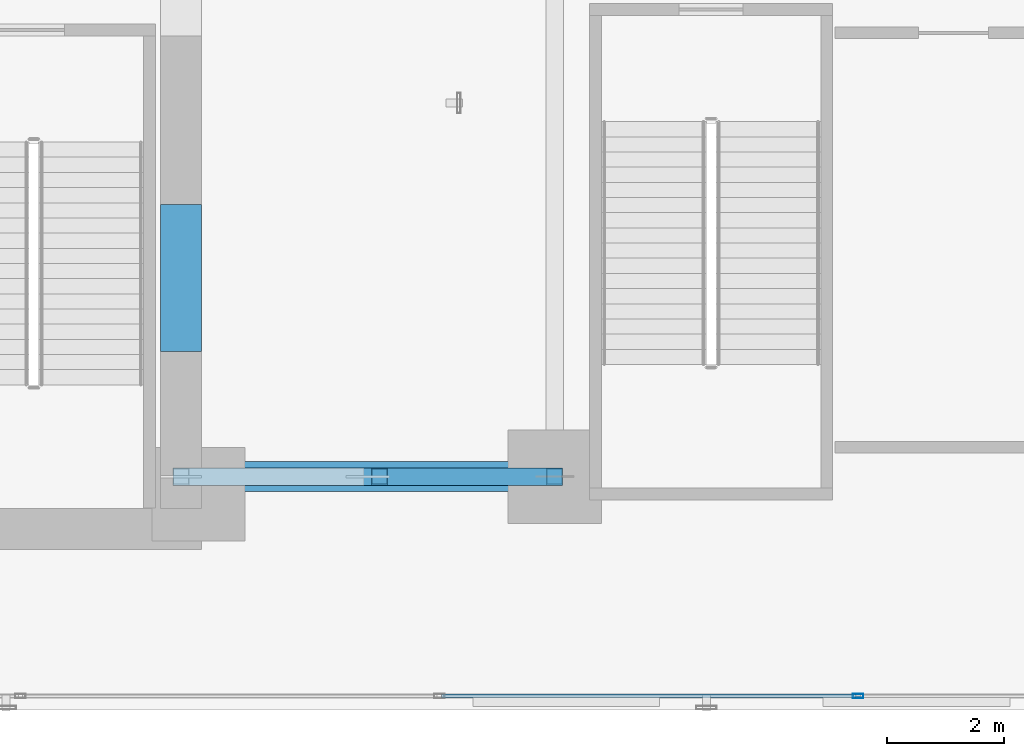
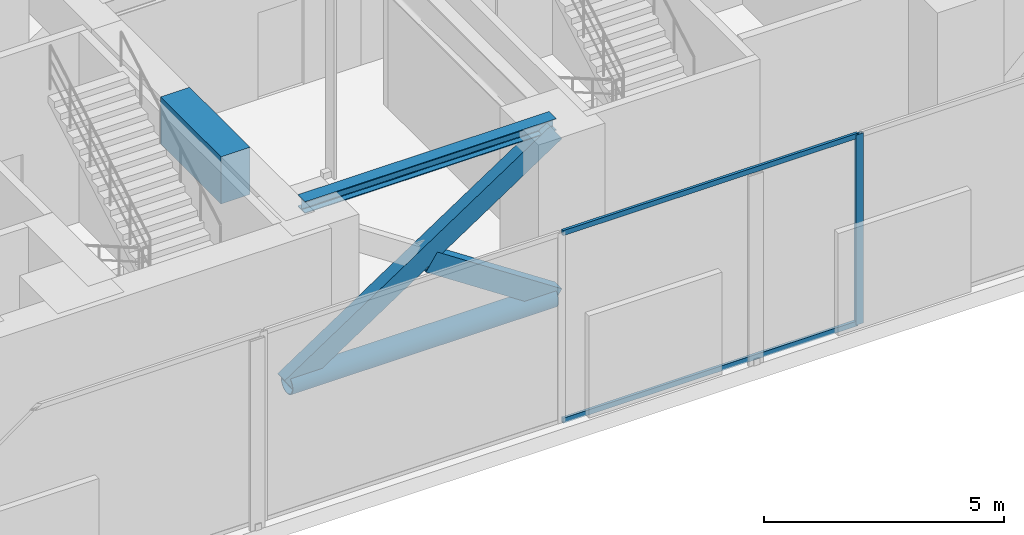
# One storey, part 6 of 36: 6 members, 2 beams, 1 element without a shape of its own.
"""IFC4 building model written with IfcOpenShell, lengths in metres."""

from ifc_helpers import new_model, si_unit, direction, frame, origin, origin_with_axes, origin_2d, place, context, subcontext, project, spatial, rectangle, hollow_rectangle, hollow_circle, i_section, extrude, source, transform, mapped, material, layer, layer_set, material_profile, profile_set, type_object, element, aggregate, save


model = new_model("IFC4")

# Units and contexts
model_context = context("Model", 3, precision=1e-05, world=origin(), true_north=direction((0.0, 1.0)))
body_context = subcontext(model_context, "Body", "Model", "MODEL_VIEW")
ifc_project = project(units=[si_unit("LENGTHUNIT", "METRE"), si_unit("AREAUNIT", "SQUARE_METRE"), si_unit("VOLUMEUNIT", "CUBIC_METRE"), si_unit("PLANEANGLEUNIT", "RADIAN"), si_unit("MASSUNIT", "GRAM", prefix="KILO")], contexts=[model_context])

# Site, building, storey
site_placement = place(None, origin())
site = spatial("IfcSite", under=ifc_project, at=site_placement, CompositionType="ELEMENT")
building_placement = place(site_placement, origin())
building = spatial("IfcBuilding", under=site, at=building_placement, Name="Kolvaren Waterfront Exchange", CompositionType="ELEMENT")
storey_placement = place(building_placement, frame((0.0, 0.0, 82.800048828125)))
storey = spatial("IfcBuildingStorey", under=building, at=storey_placement, Name="L21", CompositionType="ELEMENT", Elevation=82.800048828125)

# Beam
ifc_material_1 = material(Name="Steel S355", Category="steel")
ifc_material_profile_1 = material_profile(ifc_material_1, i_section(OverallWidth=0.300048828125, OverallDepth=0.300048828125, WebThickness=0.010986328125, FlangeThickness=0.01904296875, FilletRadius=0.027099609375, at=origin_2d()), Name="HEB300")
ifc_profile_set_1 = profile_set([ifc_material_profile_1], Name="Steel S355")
beam_type_1 = type_object("IfcBeamType", Name="STR-BM-HEB300", PredefinedType="SPANDREL", material=ifc_profile_set_1)
beam_1_placement = place(storey_placement, frame((21.14990234375, 5.199951171875, 4.68994140625), z_axis=(1.0, 0.0, 0.0), x_axis=(0.0, 1.0, 0.0)))
element("IfcBeam", 1, at=beam_1_placement, inside=storey, type_object=beam_type_1, Name="L21 east-arm spandrel S1", PredefinedType="SPANDREL", context=body_context, shape_type="SweptSolid", body=[
    extrude(i_section(OverallWidth=0.300048828125, OverallDepth=0.300048828125, WebThickness=0.010986328125, FlangeThickness=0.01904296875, FilletRadius=0.027099609375, at=origin_2d()), origin(), (0.0, 0.0, 1.0), 6.050048828125),
])

# Members
ifc_material_2 = material(Name="Steel S460", Category="steel")
ifc_material_profile_2 = material_profile(ifc_material_2, hollow_circle(Radius=0.25390625, WallThickness=0.02001953125, at=origin_2d()), Name="CHS508x20")
ifc_profile_set_2 = profile_set([ifc_material_profile_2], Name="Steel S460")
member_type_1 = type_object("IfcMemberType", Name="STR-BR-CHS508", PredefinedType="CHORD", material=ifc_profile_set_2)
member_1_placement = place(storey_placement, frame((20.800048828125, 5.199951171875, 0.25), z_axis=(1.0, 0.0, 0.0), x_axis=(0.0, 1.0, 0.0)))
element("IfcMember", 2, at=member_1_placement, inside=storey, type_object=member_type_1, Name="L21 outrigger bottom chord OA1", PredefinedType="CHORD", context=body_context, shape_type="SweptSolid", body=[
    extrude(hollow_circle(Radius=0.25390625, WallThickness=0.02001953125, at=origin_2d()), origin(), (0.0, 0.0, 1.0), 6.39990234375),
])
ifc_material_profile_3 = material_profile(ifc_material_2, hollow_rectangle(XDim=0.300048828125, YDim=0.5, WallThickness=0.02001953125, at=origin_2d()), Name="RHS500x300x20")
ifc_profile_set_3 = profile_set([ifc_material_profile_3], Name="Steel S460")
member_type_2 = type_object("IfcMemberType", Name="STR-BR-RHS500", PredefinedType="BRACE", material=ifc_profile_set_3)
member_2_placement = place(storey_placement, frame((20.800048828125, 5.199951171875, 0.25), z_axis=(0.833646697843, 0.0, 0.552298092677), x_axis=(0.0, 1.0, 0.0)))
element("IfcMember", 3, at=member_2_placement, inside=storey, type_object=member_type_2, Name="L21 outrigger diagonal OA1.1", PredefinedType="BRACE", context=body_context, shape_type="SweptSolid", body=[
    extrude(hollow_rectangle(XDim=0.300048828125, YDim=0.5, WallThickness=0.02001953125, at=origin_2d()), origin(), (0.0, 0.0, 1.0), 7.677001953125),
])
member_3_placement = place(storey_placement, frame((27.199951171875, 5.199951171875, 0.25), z_axis=(-0.833654287623, 0.0, 0.552286636384), x_axis=(0.0, -1.0, 0.0)))
element("IfcMember", 4, at=member_3_placement, inside=storey, type_object=member_type_2, Name="L21 outrigger split diagonal OA1.2A", PredefinedType="BRACE", context=body_context, shape_type="SweptSolid", body=[
    extrude(hollow_rectangle(XDim=0.300048828125, YDim=0.5, WallThickness=0.02001953125, at=origin_2d()), origin(), (0.0, 0.0, 1.0), 3.598388671875),
])

# Beam
ifc_material_3 = material(Name="Concrete C70/85", Category="concrete")
ifc_material_profile_4 = material_profile(ifc_material_3, rectangle(XDim=0.699951171875, YDim=1.199951171875, at=origin_2d()), Name="RC-CB-1200x700")
ifc_profile_set_4 = profile_set([ifc_material_profile_4], Name="Concrete C70/85")
beam_type_2 = type_object("IfcBeamType", Name="STR-CB-1200", PredefinedType="SPANDREL", material=ifc_profile_set_4)
beam_2_placement = place(storey_placement, frame((20.800048828125, 7.340087890625, 4.239990234375), z_axis=(0.0, 1.0, 0.0), x_axis=(-1.0, 0.0, 0.0)))
element("IfcBeam", 5, at=beam_2_placement, inside=storey, type_object=beam_type_2, Name="L21 core coupling beam 1", PredefinedType="SPANDREL", context=body_context, shape_type="SweptSolid", body=[
    extrude(rectangle(XDim=0.699951171875, YDim=1.199951171875, at=origin_2d()), origin(), (0.0, 0.0, 1.0), 2.52001953125),
])

# Curtain wall, members
ifc_material_4 = material(Name="Anodised dark bronze spandrel aluminium", Category="aluminium")
ifc_layer = layer(ifc_material_4, 0.219970703125, Name="Anodised dark bronze spandrel aluminium")
ifc_layer_set = layer_set([ifc_layer], Name="Anodised dark bronze spandrel aluminium")
curtain_wall_type = type_object("IfcCurtainWallType", Name="ARC-CW-SYS6", PredefinedType="USERDEFINED", material=ifc_layer_set)
curtain_wall_placement = place(storey_placement, origin())
curtain_wall = element("IfcCurtainWall", 6, at=curtain_wall_placement, inside=storey, type_object=curtain_wall_type, Name="L21 stick curtain wall CW6 (CW-L21-S)", ObjectType="STICK CURTAIN WALL", PredefinedType="USERDEFINED")
ifc_material_5 = material(Name="Anodised bronze aluminium 6063-T6", Category="aluminium")
ifc_material_profile_5 = material_profile(ifc_material_5, hollow_rectangle(XDim=0.074951171875, YDim=0.179931640625, WallThickness=0.00439453125, at=origin_2d()), Name="ALU-MUL-180x75x4.5")
ifc_profile_set_5 = profile_set([ifc_material_profile_5], Name="Anodised bronze aluminium 6063-T6")
member_type_3 = type_object("IfcMemberType", Name="ARC-CWM-180", PredefinedType="MULLION", material=ifc_profile_set_5)
shared_shape_1 = source(origin_with_axes(), body_context, "Body", "SweptSolid", [
    extrude(hollow_rectangle(XDim=0.074951171875, YDim=0.179931640625, WallThickness=0.00439453125, at=origin_2d()), origin(), (0.0, 0.0, 1.0), 4.83984375),
])
member_4_placement = place(storey_placement, frame((32.39990234375, 1.43994140625, 0.0), z_axis=(0.0, 0.0, 1.0), x_axis=(0.0, 1.0, 0.0)))
member_4 = element("IfcMember", 7, at=member_4_placement, type_object=member_type_3, Name="CW6 mullion 5", PredefinedType="MULLION", context=body_context, shape_type="MappedRepresentation", body=[
    mapped(shared_shape_1, transform((0.0, 0.0, 0.0), x_axis=(1.0, 0.0, 0.0), y_axis=(0.0, 1.0, 0.0), z_axis=(0.0, 0.0, 1.0), scale=1.0)),
])
ifc_material_profile_6 = material_profile(ifc_material_5, hollow_rectangle(XDim=0.06494140625, YDim=0.1298828125, WallThickness=0.00390625, at=origin_2d()), Name="ALU-TRN-130x65x4")
ifc_profile_set_6 = profile_set([ifc_material_profile_6], Name="Anodised bronze aluminium 6063-T6")
member_type_4 = type_object("IfcMemberType", Name="ARC-CWT-130", PredefinedType="USERDEFINED", material=ifc_profile_set_6)
shared_shape_2 = source(origin_with_axes(), body_context, "Body", "SweptSolid", [
    extrude(hollow_rectangle(XDim=0.06494140625, YDim=0.1298828125, WallThickness=0.00390625, at=origin_2d()), origin(), (0.0, 0.0, 1.0), 7.10009765625),
])
member_5_placement = place(storey_placement, frame((25.262451171875, 1.43994140625, 0.032470703125), z_axis=(1.0, 0.0, 0.0), x_axis=(0.0, 1.0, 0.0)))
member_5 = element("IfcMember", 8, at=member_5_placement, type_object=member_type_4, Name="CW6 transom 4.1", ObjectType="TRANSOM", PredefinedType="USERDEFINED", context=body_context, shape_type="MappedRepresentation", body=[
    mapped(shared_shape_2, transform((0.0, 0.0, 0.0), x_axis=(1.0, 0.0, 0.0), y_axis=(0.0, 1.0, 0.0), z_axis=(0.0, 0.0, 1.0), scale=1.0)),
])
member_6_placement = place(storey_placement, frame((25.262451171875, 1.43994140625, 4.807373046875), z_axis=(1.0, 0.0, 0.0), x_axis=(0.0, 1.0, 0.0)))
member_6 = element("IfcMember", 9, at=member_6_placement, type_object=member_type_4, Name="CW6 transom 4.2", ObjectType="TRANSOM", PredefinedType="USERDEFINED", context=body_context, shape_type="MappedRepresentation", body=[
    mapped(shared_shape_2, transform((0.0, 0.0, 0.0), x_axis=(1.0, 0.0, 0.0), y_axis=(0.0, 1.0, 0.0), z_axis=(0.0, 0.0, 1.0), scale=1.0)),
])
aggregate(curtain_wall, [member_4, member_5, member_6])

save(model, "model.ifc")
